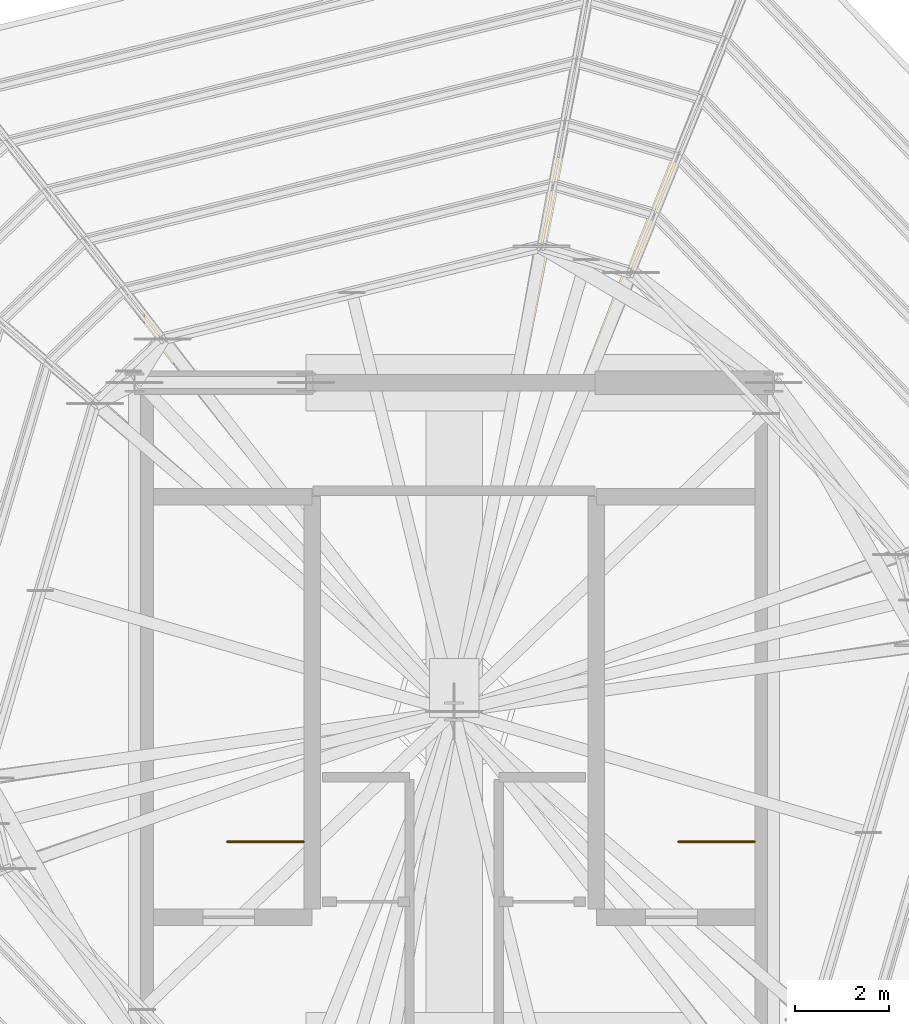
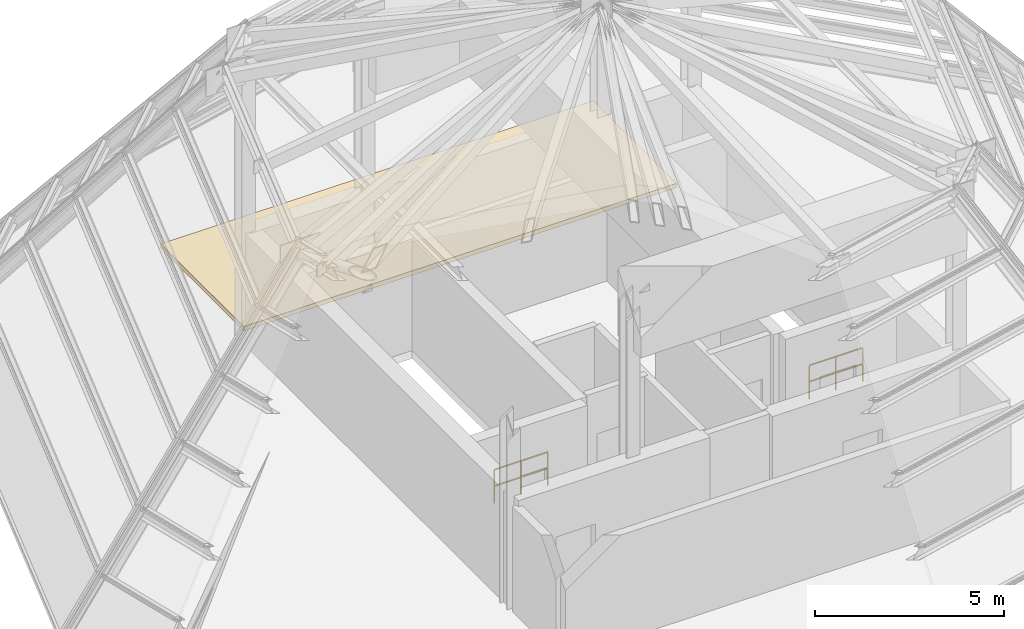
# One storey, part 13 of 13: 2 railings, 1 covering.
"""IFC4 building model written with IfcOpenShell, lengths in metres."""

from ifc_helpers import new_model, si_unit, direction, frame, origin, origin_2d, place, context, subcontext, project, spatial, polyline, circle, outline, extrude, material, layer, layer_set, type_object, element, save


model = new_model("IFC4")

# Units and contexts
model_context = context("Model", 3, precision=1e-05, world=origin(), true_north=direction((0.0, 1.0)))
body_context = subcontext(model_context, "Body", "Model", "MODEL_VIEW")
ifc_project = project(units=[si_unit("LENGTHUNIT", "METRE"), si_unit("AREAUNIT", "SQUARE_METRE"), si_unit("VOLUMEUNIT", "CUBIC_METRE"), si_unit("PLANEANGLEUNIT", "RADIAN"), si_unit("MASSUNIT", "GRAM", prefix="KILO")], contexts=[model_context])

# Site, building, storey
site_placement = place(None, origin())
site = spatial("IfcSite", under=ifc_project, at=site_placement, CompositionType="ELEMENT")
building_placement = place(site_placement, origin())
building = spatial("IfcBuilding", under=site, at=building_placement, Name="Veraguas Prism Commons", CompositionType="ELEMENT")
storey_placement = place(building_placement, frame((0.0, 0.0, 268.89990234375)))
storey = spatial("IfcBuildingStorey", under=building, at=storey_placement, Name="RF", CompositionType="ELEMENT", Elevation=268.89990234375)

# Covering
ifc_material_1 = material(Name="EPDM waterproof membrane")
ifc_layer = layer(ifc_material_1, 0.139892578125, Name="Insulated EPDM Roof Membrane 140")
ifc_layer_set = layer_set([ifc_layer], Name="EPDM waterproof membrane")
covering_type = type_object("IfcCoveringType", Name="Insulated EPDM Roof Membrane 140", PredefinedType="ROOFING", material=ifc_layer_set)
covering_placement = place(storey_placement, origin())
element("IfcCovering", 1, at=covering_placement, inside=storey, type_object=covering_type, Name="Crown Base Deck Waterproof Membrane", PredefinedType="ROOFING", context=body_context, shape_type="SweptSolid", body=[
    extrude(outline(polyline([(17.39990234375, 31.39990234375), (30.60009765625, 31.39990234375), (30.60009765625, 35.800048828125), (17.39990234375, 35.800048828125), (17.39990234375, 31.39990234375)])), origin(), (0.0, 0.0, 1.0), 0.14013671875),
])

# Railings
ifc_material_2 = material(Name="Stainless steel AISI 316", Category="steel")
railing_type = type_object("IfcRailingType", Name="Stairwell Safety Guardrail 1100", PredefinedType="GUARDRAIL", material=ifc_material_2)
railing_1_placement = place(storey_placement, frame((20.800048828125, 21.22998046875, 0.0)))
element("IfcRailing", 2, at=railing_1_placement, inside=storey, type_object=railing_type, Name="Top Stairwell Guard ST-01 1", PredefinedType="GUARDRAIL", context=body_context, shape_type="SweptSolid", body=[
    extrude(circle(Radius=0.02392578125, at=origin_2d()), frame((0.0, 0.0, 1.076171875), z_axis=(-1.0, 0.0, 0.0), x_axis=(0.0, -1.0, 0.0)), (0.0, 0.0, 1.0), 1.630126953125),
    extrude(circle(Radius=0.02392578125, at=origin_2d()), frame((0.0, 0.0, 0.550048828125), z_axis=(-1.0, 0.0, 0.0), x_axis=(0.0, -1.0, 0.0)), (0.0, 0.0, 1.0), 1.630126953125),
    extrude(circle(Radius=0.02099609375, at=origin_2d()), origin(), (0.0, 0.0, 1.0), 1.052001953125),
    extrude(circle(Radius=0.02099609375, at=origin_2d()), frame((-0.81494140625, 0.0, 0.0)), (0.0, 0.0, 1.0), 1.052001953125),
    extrude(circle(Radius=0.02099609375, at=origin_2d()), frame((-1.630126953125, 0.0, 0.0)), (0.0, 0.0, 1.0), 1.052001953125),
])
railing_2_placement = place(storey_placement, frame((30.39990234375, 21.22998046875, 0.0)))
element("IfcRailing", 3, at=railing_2_placement, inside=storey, type_object=railing_type, Name="Top Stairwell Guard ST-02 1", PredefinedType="GUARDRAIL", context=body_context, shape_type="SweptSolid", body=[
    extrude(circle(Radius=0.02392578125, at=origin_2d()), frame((0.0, 0.0, 1.076171875), z_axis=(-1.0, 0.0, 0.0), x_axis=(0.0, -1.0, 0.0)), (0.0, 0.0, 1.0), 1.6298828125),
    extrude(circle(Radius=0.02392578125, at=origin_2d()), frame((0.0, 0.0, 0.550048828125), z_axis=(-1.0, 0.0, 0.0), x_axis=(0.0, -1.0, 0.0)), (0.0, 0.0, 1.0), 1.6298828125),
    extrude(circle(Radius=0.02099609375, at=origin_2d()), origin(), (0.0, 0.0, 1.0), 1.052001953125),
    extrude(circle(Radius=0.02099609375, at=origin_2d()), frame((-0.81494140625, 0.0, 0.0)), (0.0, 0.0, 1.0), 1.052001953125),
    extrude(circle(Radius=0.02099609375, at=origin_2d()), frame((-1.6298828125, 0.0, 0.0)), (0.0, 0.0, 1.0), 1.052001953125),
])

save(model, "model.ifc")
